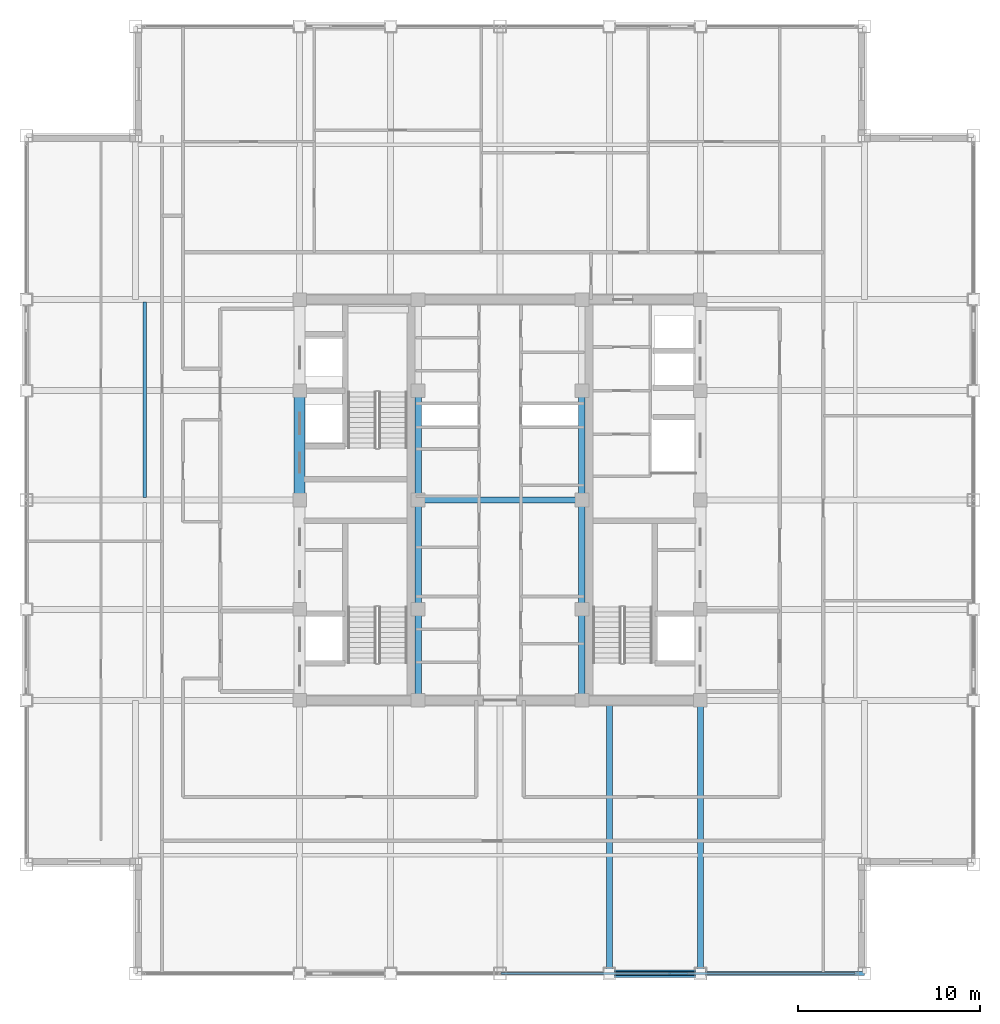
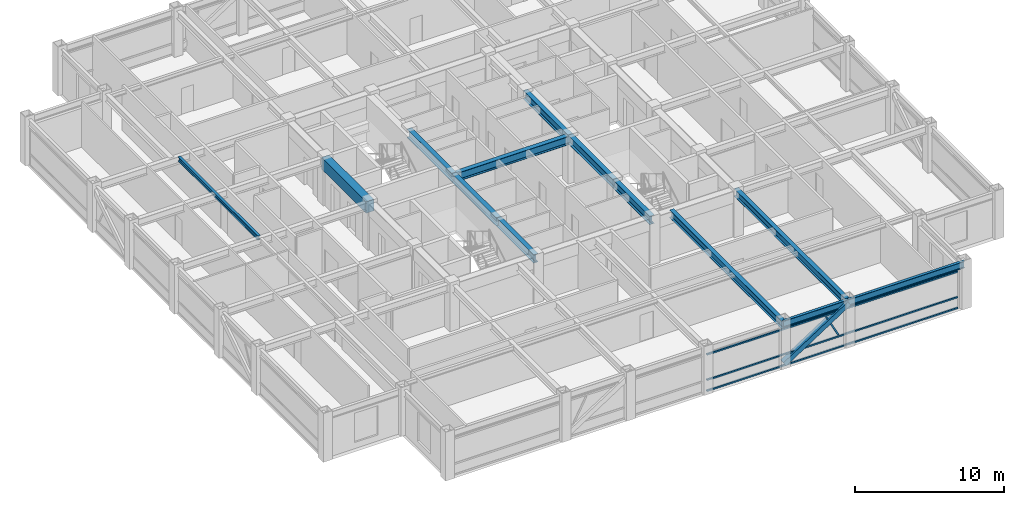
# One storey, part 7 of 29: 13 beams, 5 members, 1 element without a shape of its own.
"""IFC4 building model written with IfcOpenShell, lengths in metres."""

from ifc_helpers import new_model, si_unit, direction, frame, origin, origin_2d, place, context, subcontext, project, spatial, rectangle, hollow_rectangle, i_section, extrude, source, transform, mapped, material, material_profile, profile_set, type_object, element, aggregate, save


model = new_model("IFC4")

# Units and contexts
model_context = context("Model", 3, precision=1e-05, world=origin(), true_north=direction((0.0, 1.0)))
body_context = subcontext(model_context, "Body", "Model", "MODEL_VIEW")
ifc_project = project(units=[si_unit("LENGTHUNIT", "METRE"), si_unit("AREAUNIT", "SQUARE_METRE"), si_unit("VOLUMEUNIT", "CUBIC_METRE"), si_unit("PLANEANGLEUNIT", "RADIAN"), si_unit("MASSUNIT", "GRAM", prefix="KILO")], contexts=[model_context])

# Site, building, storey
site_placement = place(None, origin())
site = spatial("IfcSite", under=ifc_project, at=site_placement, CompositionType="ELEMENT")
building_placement = place(site_placement, origin())
building = spatial("IfcBuilding", under=site, at=building_placement, Name="Khorayat Bourse Tower", CompositionType="ELEMENT")
storey_placement = place(building_placement, frame((0.0, 0.0, 358.300048828125)))
storey = spatial("IfcBuildingStorey", under=building, at=storey_placement, Name="L85", CompositionType="ELEMENT", Elevation=358.300048828125)

# Beams
ifc_material_1 = material(Name="Steel ASTM A992 Grade 50", Category="steel")
ifc_material_profile_1 = material_profile(ifc_material_1, i_section(OverallWidth=0.35498046875, OverallDepth=0.695068359375, WebThickness=0.015380859375, FlangeThickness=0.02490234375, FilletRadius=0.01806640625, at=origin_2d()), Name="W690X217")
ifc_profile_set_1 = profile_set([ifc_material_profile_1], Name="Steel ASTM A992 Grade 50")
beam_type_1 = type_object("IfcBeamType", Name="BM-GIRD-690", PredefinedType="BEAM", material=ifc_profile_set_1)
shared_shape_1 = source(origin(), body_context, "Body", "SweptSolid", [
    extrude(i_section(OverallWidth=0.35498046875, OverallDepth=0.695068359375, WebThickness=0.015380859375, FlangeThickness=0.02490234375, FilletRadius=0.01806640625, at=origin_2d()), origin(), (0.0, 0.0, 1.0), 5.0),
])
for number, where, z_axis, x_axis, name in (
    (1, (-4.5, -11.0, 3.392333984375), (0.0, 1.0, 0.0), (-1.0, 0.0, 0.0), "L85 BM-GIRD-690 BM-L85-CRX-05"),
    (2, (4.5, -11.0, 3.392333984375), (0.0, 1.0, 0.0), (-1.0, 0.0, 0.0), "L85 BM-GIRD-690 BM-L85-CRX-09"),
):
    element("IfcBeam", number, at=place(storey_placement, frame(where, z_axis=z_axis, x_axis=x_axis)), inside=storey, type_object=beam_type_1, Name=name, PredefinedType="BEAM", context=body_context, shape_type="MappedRepresentation", body=[
        mapped(shared_shape_1, transform((0.0, 0.0, 0.0), scale=1.0)),
    ])
shared_shape_2 = source(origin(), body_context, "Body", "SweptSolid", [
    extrude(i_section(OverallWidth=0.35498046875, OverallDepth=0.695068359375, WebThickness=0.015380859375, FlangeThickness=0.02490234375, FilletRadius=0.01806640625, at=origin_2d()), origin(), (0.0, 0.0, 1.0), 6.0),
])
for number, where, z_axis, x_axis, name in (
    (3, (-4.5, -6.0, 3.392333984375), (0.0, 1.0, 0.0), (-1.0, 0.0, 0.0), "L85 BM-GIRD-690 BM-L85-CRX-06"),
    (4, (-4.5, 0.0, 3.392333984375), (0.0, 1.0, 0.0), (-1.0, 0.0, 0.0), "L85 BM-GIRD-690 BM-L85-CRX-07"),
    (5, (4.5, -6.0, 3.392333984375), (0.0, 1.0, 0.0), (-1.0, 0.0, 0.0), "L85 BM-GIRD-690 BM-L85-CRX-10"),
    (6, (4.5, 0.0, 3.392333984375), (0.0, 1.0, 0.0), (-1.0, 0.0, 0.0), "L85 BM-GIRD-690 BM-L85-CRX-11"),
):
    element("IfcBeam", number, at=place(storey_placement, frame(where, z_axis=z_axis, x_axis=x_axis)), inside=storey, type_object=beam_type_1, Name=name, PredefinedType="BEAM", context=body_context, shape_type="MappedRepresentation", body=[
        mapped(shared_shape_2, transform((0.0, 0.0, 0.0), scale=1.0)),
    ])
shared_shape_3 = source(origin(), body_context, "Body", "SweptSolid", [
    extrude(i_section(OverallWidth=0.35498046875, OverallDepth=0.695068359375, WebThickness=0.015380859375, FlangeThickness=0.02490234375, FilletRadius=0.01806640625, at=origin_2d()), origin(), (0.0, 0.0, 1.0), 9.0),
])
beam_1_placement = place(storey_placement, frame((-4.5, 0.0, 3.392333984375), z_axis=(1.0, 0.0, 0.0), x_axis=(0.0, 1.0, 0.0)))
element("IfcBeam", 7, at=beam_1_placement, inside=storey, type_object=beam_type_1, Name="L85 BM-GIRD-690 BM-L85-CRY-23", PredefinedType="BEAM", context=body_context, shape_type="MappedRepresentation", body=[
    mapped(shared_shape_3, transform((0.0, 0.0, 0.0), scale=1.0)),
])
ifc_material_2 = material(Name="Concrete C60/75", Category="concrete")
ifc_material_profile_2 = material_profile(ifc_material_2, rectangle(XDim=0.60009765625, YDim=0.949951171875, at=origin_2d()), Name="RC 600x950")
ifc_profile_set_2 = profile_set([ifc_material_profile_2], Name="Concrete C60/75")
beam_type_2 = type_object("IfcBeamType", Name="BM-COUP-950", PredefinedType="BEAM", material=ifc_profile_set_2)
shared_shape_4 = source(origin(), body_context, "Body", "SweptSolid", [
    extrude(rectangle(XDim=0.60009765625, YDim=0.949951171875, at=origin_2d()), origin(), (0.0, 0.0, 1.0), 6.0),
])
beam_2_placement = place(storey_placement, frame((-11.0, 0.0, 3.264892578125), z_axis=(0.0, 1.0, 0.0), x_axis=(-1.0, 0.0, 0.0)))
element("IfcBeam", 8, at=beam_2_placement, inside=storey, type_object=beam_type_2, Name="L85 BM-COUP-950 BM-L85-CRX-03", PredefinedType="BEAM", context=body_context, shape_type="MappedRepresentation", body=[
    mapped(shared_shape_4, transform((0.0, 0.0, 0.0), scale=1.0)),
])
ifc_material_profile_3 = material_profile(ifc_material_1, i_section(OverallWidth=0.202880859375, OverallDepth=0.346923828125, WebThickness=0.0078125, FlangeThickness=0.013427734375, FilletRadius=0.010009765625, at=origin_2d()), Name="W360X64")
ifc_profile_set_3 = profile_set([ifc_material_profile_3], Name="Steel ASTM A992 Grade 50")
beam_type_3 = type_object("IfcBeamType", Name="BM-JOIST-360", PredefinedType="JOIST", material=ifc_profile_set_3)
shared_shape_5 = source(origin(), body_context, "Body", "SweptSolid", [
    extrude(i_section(OverallWidth=0.202880859375, OverallDepth=0.346923828125, WebThickness=0.0078125, FlangeThickness=0.013427734375, FilletRadius=0.010009765625, at=origin_2d()), origin(), (0.0, 0.0, 1.0), 10.740234375),
])
beam_3_placement = place(storey_placement, frame((-19.5, 0.1298828125, 3.56640625), z_axis=(0.0, 1.0, 0.0), x_axis=(-1.0, 0.0, 0.0)))
element("IfcBeam", 9, at=beam_3_placement, inside=storey, type_object=beam_type_3, Name="L85 BM-JOIST-360 BM-L85-JSTY-087", PredefinedType="JOIST", context=body_context, shape_type="MappedRepresentation", body=[
    mapped(shared_shape_5, transform((0.0, 0.0, 0.0), scale=1.0)),
])
ifc_material_profile_4 = material_profile(ifc_material_1, i_section(OverallWidth=0.214111328125, OverallDepth=0.549072265625, WebThickness=0.0146484375, FlangeThickness=0.023681640625, FilletRadius=0.013916015625, at=origin_2d()), Name="W530X138")
ifc_profile_set_4 = profile_set([ifc_material_profile_4], Name="Steel ASTM A992 Grade 50")
beam_type_4 = type_object("IfcBeamType", Name="BM-SPAN-530", PredefinedType="SPANDREL", material=ifc_profile_set_4)
shared_shape_6 = source(origin(), body_context, "Body", "SweptSolid", [
    extrude(i_section(OverallWidth=0.214111328125, OverallDepth=0.549072265625, WebThickness=0.0146484375, FlangeThickness=0.023681640625, FilletRadius=0.013916015625, at=origin_2d()), origin(), (0.0, 0.0, 1.0), 9.0),
])
beam_4_placement = place(storey_placement, frame((11.0, -26.0, 3.46533203125), z_axis=(1.0, 0.0, 0.0), x_axis=(0.0, 1.0, 0.0)))
element("IfcBeam", 10, at=beam_4_placement, inside=storey, type_object=beam_type_4, Name="L85 BM-SPAN-530 BM-L85-SPN-029", PredefinedType="SPANDREL", context=body_context, shape_type="MappedRepresentation", body=[
    mapped(shared_shape_6, transform((0.0, 0.0, 0.0), scale=1.0)),
])
shared_shape_7 = source(origin(), body_context, "Body", "SweptSolid", [
    extrude(i_section(OverallWidth=0.214111328125, OverallDepth=0.549072265625, WebThickness=0.0146484375, FlangeThickness=0.023681640625, FilletRadius=0.013916015625, at=origin_2d()), origin(), (0.0, 0.0, 1.0), 5.0),
])
beam_5_placement = place(storey_placement, frame((6.0, -26.0, 3.46533203125), z_axis=(1.0, 0.0, 0.0), x_axis=(0.0, 1.0, 0.0)))
element("IfcBeam", 11, at=beam_5_placement, inside=storey, type_object=beam_type_4, Name="L85 BM-SPAN-530 BM-L85-SPN-028", PredefinedType="SPANDREL", context=body_context, shape_type="MappedRepresentation", body=[
    mapped(shared_shape_7, transform((0.0, 0.0, 0.0), scale=1.0)),
])
ifc_material_profile_5 = material_profile(ifc_material_1, i_section(OverallWidth=0.324951171875, OverallDepth=0.615966796875, WebThickness=0.013916015625, FlangeThickness=0.021484375, FilletRadius=0.01611328125, at=origin_2d()), Name="W610X174")
ifc_profile_set_5 = profile_set([ifc_material_profile_5], Name="Steel ASTM A992 Grade 50")
beam_type_5 = type_object("IfcBeamType", Name="BM-GIRD-610", PredefinedType="BEAM", material=ifc_profile_set_5)
shared_shape_8 = source(origin(), body_context, "Body", "SweptSolid", [
    extrude(i_section(OverallWidth=0.324951171875, OverallDepth=0.615966796875, WebThickness=0.013916015625, FlangeThickness=0.021484375, FilletRadius=0.01611328125, at=origin_2d()), origin(), (0.0, 0.0, 1.0), 15.0),
])
for number, where, z_axis, x_axis, name in (
    (12, (6.0, -26.0, 3.431884765625), (0.0, 1.0, 0.0), (-1.0, 0.0, 0.0), "L85 BM-GIRD-610 BM-L85-RADY-063"),
    (13, (11.0, -26.0, 3.431884765625), (0.0, 1.0, 0.0), (-1.0, 0.0, 0.0), "L85 BM-GIRD-610 BM-L85-RADY-065"),
):
    element("IfcBeam", number, at=place(storey_placement, frame(where, z_axis=z_axis, x_axis=x_axis)), inside=storey, type_object=beam_type_5, Name=name, PredefinedType="BEAM", context=body_context, shape_type="MappedRepresentation", body=[
        mapped(shared_shape_8, transform((0.0, 0.0, 0.0), scale=1.0)),
    ])

# Member
ifc_material_3 = material(Name="Steel EN 10025-4 S460M", Category="steel")
ifc_material_profile_6 = material_profile(ifc_material_3, hollow_rectangle(XDim=0.39990234375, YDim=0.39990234375, WallThickness=0.02197265625, at=origin_2d()), Name="HSS 400x400x22")
ifc_profile_set_6 = profile_set([ifc_material_profile_6], Name="Steel EN 10025-4 S460M")
member_type_1 = type_object("IfcMemberType", Name="MBR-TUBE-400", PredefinedType="BRACE", material=ifc_profile_set_6)
shared_shape_9 = source(origin(), body_context, "Body", "SweptSolid", [
    extrude(hollow_rectangle(XDim=0.39990234375, YDim=0.39990234375, WallThickness=0.02197265625, at=origin_2d()), origin(), (0.0, 0.0, 1.0), 5.9580078125),
])
member_1_placement = place(storey_placement, frame((6.0, -26.0, 0.25), z_axis=(0.839210474455, 0.0, 0.543806748364), x_axis=(0.0, 1.0, 0.0)))
element("IfcMember", 14, at=member_1_placement, inside=storey, type_object=member_type_1, Name="L85 Perimeter Tube Brace 02", PredefinedType="BRACE", context=body_context, shape_type="MappedRepresentation", body=[
    mapped(shared_shape_9, transform((0.0, 0.0, 0.0), scale=1.0)),
])

# Curtain wall, members
ifc_material_4 = material(Name="Aluminium EN AW-6063 T6", Category="aluminium")
curtain_wall_type = type_object("IfcCurtainWallType", Name="CW-SYS-04", PredefinedType="NOTDEFINED", material=ifc_material_4)
curtain_wall_placement = place(storey_placement, origin())
curtain_wall = element("IfcCurtainWall", 15, at=curtain_wall_placement, inside=storey, type_object=curtain_wall_type, Name="L85 Curtain Wall CW-L85-S1", PredefinedType="NOTDEFINED")
ifc_material_profile_7 = material_profile(ifc_material_4, hollow_rectangle(XDim=0.1201171875, YDim=0.1201171875, WallThickness=0.0048828125, at=origin_2d()), Name="ALU 120x120x5")
ifc_profile_set_7 = profile_set([ifc_material_profile_7], Name="Aluminium EN AW-6063 T6")
member_type_2 = type_object("IfcMemberType", Name="CWM-DIAG-120", PredefinedType="MULLION", material=ifc_profile_set_7)
shared_shape_10 = source(origin(), body_context, "Body", "SweptSolid", [
    extrude(hollow_rectangle(XDim=0.1201171875, YDim=0.1201171875, WallThickness=0.0048828125, at=origin_2d()), origin(), (0.0, 0.0, 1.0), 2.0341796875),
])
member_2_placement = place(storey_placement, frame((10.24365234375, -26.0, 1.08984375), z_axis=(-0.465696964104, 0.0, 0.884944256789), x_axis=(0.0, -1.0, 0.0)))
member_2 = element("IfcMember", 16, at=member_2_placement, type_object=member_type_2, Name="CW-L85-S1 Faceted Diagonal Mullion 2", PredefinedType="MULLION", context=body_context, shape_type="MappedRepresentation", body=[
    mapped(shared_shape_10, transform((0.0, 0.0, 0.0), scale=1.0)),
])
ifc_material_profile_8 = material_profile(ifc_material_4, hollow_rectangle(XDim=0.1201171875, YDim=0.1201171875, WallThickness=0.0048828125, at=origin_2d()), Name="ALU 120x120x5")
ifc_profile_set_8 = profile_set([ifc_material_profile_8], Name="Aluminium EN AW-6063 T6")
member_type_3 = type_object("IfcMemberType", Name="CWT-HORZ-120", PredefinedType="USERDEFINED", material=ifc_profile_set_8)
shared_shape_11 = source(origin(), body_context, "Body", "SweptSolid", [
    extrude(hollow_rectangle(XDim=0.1201171875, YDim=0.1201171875, WallThickness=0.0048828125, at=origin_2d()), origin(), (0.0, 0.0, 1.0), 19.419921875),
])
member_3_placement = place(storey_placement, frame((0.06005859375, -26.0, 0.06005859375), z_axis=(1.0, 0.0, 0.0), x_axis=(0.0, 1.0, 0.0)))
member_3 = element("IfcMember", 17, at=member_3_placement, type_object=member_type_3, Name="CW-L85-S1 Horizontal Transom 2-1", ObjectType="TRANSOM", PredefinedType="USERDEFINED", context=body_context, shape_type="MappedRepresentation", body=[
    mapped(shared_shape_11, transform((0.0, 0.0, 0.0), scale=1.0)),
])
member_4_placement = place(storey_placement, frame((0.06005859375, -26.0, 0.949951171875), z_axis=(1.0, 0.0, 0.0), x_axis=(0.0, 1.0, 0.0)))
member_4 = element("IfcMember", 18, at=member_4_placement, type_object=member_type_3, Name="CW-L85-S1 Horizontal Transom 2-2", ObjectType="TRANSOM", PredefinedType="USERDEFINED", context=body_context, shape_type="MappedRepresentation", body=[
    mapped(shared_shape_11, transform((0.0, 0.0, 0.0), scale=1.0)),
])
member_5_placement = place(storey_placement, frame((0.06005859375, -26.0, 3.030029296875), z_axis=(1.0, 0.0, 0.0), x_axis=(0.0, 1.0, 0.0)))
member_5 = element("IfcMember", 19, at=member_5_placement, type_object=member_type_3, Name="CW-L85-S1 Horizontal Transom 2-3", ObjectType="TRANSOM", PredefinedType="USERDEFINED", context=body_context, shape_type="MappedRepresentation", body=[
    mapped(shared_shape_11, transform((0.0, 0.0, 0.0), scale=1.0)),
])
aggregate(curtain_wall, [member_3, member_4, member_5, member_2])

save(model, "model.ifc")
